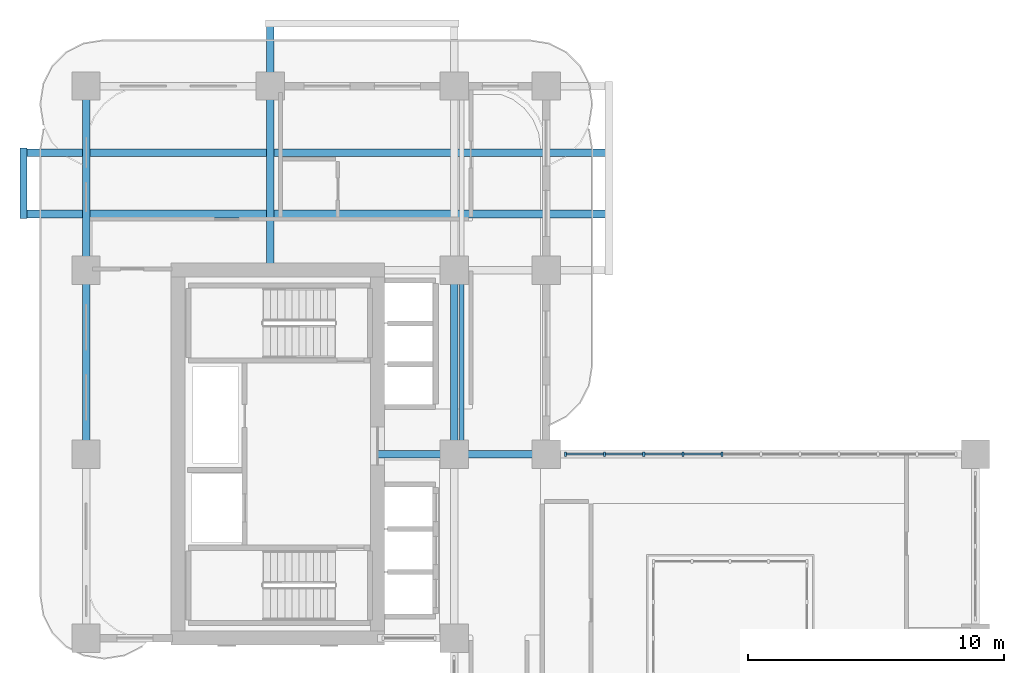
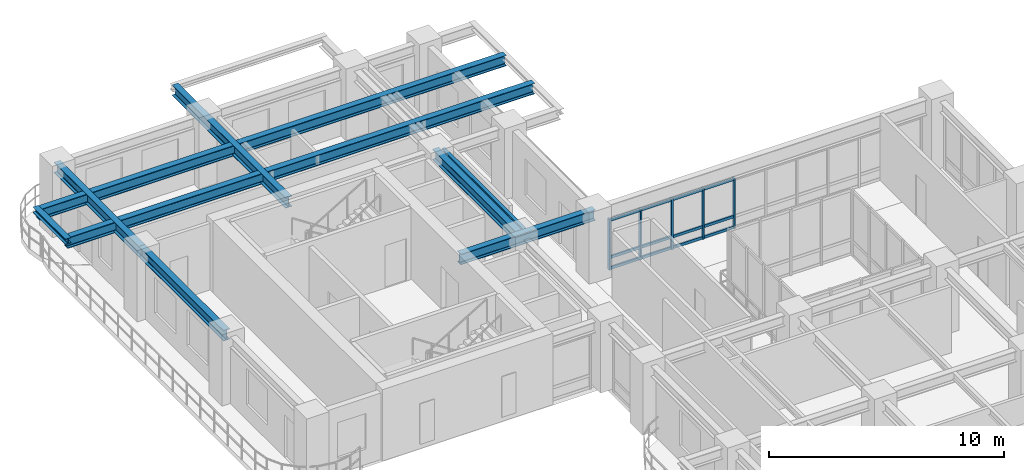
# One storey, part 6 of 22: 17 members, 9 beams, 1 element without a shape of its own.
"""IFC4 building model written with IfcOpenShell, lengths in metres."""

from ifc_helpers import new_model, si_unit, derived_unit, direction, frame, origin, origin_2d, place, context, subcontext, project, spatial, rectangle, i_section, extrude, source, transform, mapped, material, layer, layer_set, material_profile, profile_set, type_object, type_shapes, element, aggregate, save


model = new_model("IFC4")

# Units and contexts
model_context = context("Model", 3, precision=1e-05, world=origin(), true_north=direction((0.0, 1.0)))
body_context = subcontext(model_context, "Body", "Model", "MODEL_VIEW")
ifc_project = project(units=[si_unit("LENGTHUNIT", "METRE"), si_unit("AREAUNIT", "SQUARE_METRE"), si_unit("VOLUMEUNIT", "CUBIC_METRE"), si_unit("PLANEANGLEUNIT", "RADIAN"), si_unit("MASSUNIT", "GRAM", prefix="KILO"), si_unit("THERMODYNAMICTEMPERATUREUNIT", "KELVIN"), si_unit("POWERUNIT", "WATT"), derived_unit("THERMALTRANSMITTANCEUNIT", [(si_unit("POWERUNIT", "WATT"), 1), (si_unit("AREAUNIT", "SQUARE_METRE"), -1), (si_unit("THERMODYNAMICTEMPERATUREUNIT", "KELVIN"), -1)])], contexts=[model_context])

# Site, building, storey
site_placement = place(None, origin())
site = spatial("IfcSite", under=ifc_project, at=site_placement, CompositionType="ELEMENT")
building_placement = place(site_placement, origin())
building = spatial("IfcBuilding", under=site, at=building_placement, Name="Zahravan Archway Hotel and Residences", CompositionType="ELEMENT")
storey_placement = place(building_placement, frame((0.0, 0.0, 73.10009765625)))
storey = spatial("IfcBuildingStorey", under=building, at=storey_placement, Name="L17", CompositionType="ELEMENT", Elevation=73.10009765625)

# Beams
ifc_material_1 = material(Name="Structural Steel S355JR", Category="steel")
ifc_material_profile_1 = material_profile(ifc_material_1, i_section(OverallWidth=0.280029296875, OverallDepth=0.280029296875, WebThickness=0.010498046875, FlangeThickness=0.01806640625, FilletRadius=0.02392578125, at=origin_2d()), Name="HEB 280", Category="steel")
ifc_profile_set_1 = profile_set([ifc_material_profile_1], Name="Structural Steel S355JR")
beam_type_1 = type_object("IfcBeamType", Name="BM-SPN-HEB280", PredefinedType="SPANDREL", material=ifc_profile_set_1)
shared_shape_1 = source(origin(), body_context, "Body", "SweptSolid", [
    extrude(i_section(OverallWidth=0.280029296875, OverallDepth=0.280029296875, WebThickness=0.010498046875, FlangeThickness=0.01806640625, FilletRadius=0.02392578125, at=origin_2d()), origin(), (0.0, 0.0, 1.0), 2.759765625),
])
beam_1_placement = place(storey_placement, frame((-2.449951171875, 41.6201171875, 3.309814453125), z_axis=(0.0, 1.0, 0.0), x_axis=(-1.0, 0.0, 0.0)))
element("IfcBeam", 1, at=beam_1_placement, inside=storey, type_object=beam_type_1, Name="L18 WB Balcony Edge Spandrel", PredefinedType="SPANDREL", context=body_context, shape_type="MappedRepresentation", body=[
    mapped(shared_shape_1, transform((0.0, 0.0, 0.0), scale=1.0)),
])
ifc_material_profile_2 = material_profile(ifc_material_1, i_section(OverallWidth=0.300048828125, OverallDepth=0.550048828125, WebThickness=0.014892578125, FlangeThickness=0.029052734375, FilletRadius=0.027099609375, at=origin_2d()), Name="HEB 550", Category="steel")
ifc_profile_set_2 = profile_set([ifc_material_profile_2], Name="Structural Steel S355JR")
beam_type_2 = type_object("IfcBeamType", Name="BM-PRI-HEB550", PredefinedType="BEAM", material=ifc_profile_set_2)
shared_shape_2 = source(origin(), body_context, "Body", "SweptSolid", [
    extrude(i_section(OverallWidth=0.300048828125, OverallDepth=0.550048828125, WebThickness=0.014892578125, FlangeThickness=0.029052734375, FilletRadius=0.027099609375, at=origin_2d()), origin(), (0.0, 0.0, 1.0), 7.2001953125),
])
type_shapes(beam_type_2, [shared_shape_2])
for number, where, z_axis, x_axis, name in (
    (2, (0.0, 32.39990234375, 3.1748046875), (0.0, 1.0, 0.0), (-1.0, 0.0, 0.0), "L17 Primary Girder NS-29"),
    (3, (14.39990234375, 32.39990234375, 3.1748046875), (0.0, 1.0, 0.0), (-1.0, 0.0, 0.0), "L17 Primary Girder NS-37"),
):
    element("IfcBeam", number, at=place(storey_placement, frame(where, z_axis=z_axis, x_axis=x_axis)), inside=storey, type_object=beam_type_2, Name=name, PredefinedType="BEAM", context=body_context, shape_type="MappedRepresentation", body=[
        mapped(shared_shape_2, transform((0.0, 0.0, 0.0), scale=1.0)),
    ])
shared_shape_3 = source(origin(), body_context, "Body", "SweptSolid", [
    extrude(i_section(OverallWidth=0.300048828125, OverallDepth=0.550048828125, WebThickness=0.014892578125, FlangeThickness=0.029052734375, FilletRadius=0.027099609375, at=origin_2d()), origin(), (0.0, 0.0, 1.0), 7.199951171875),
])
beam_2_placement = place(storey_placement, frame((0.0, 39.60009765625, 3.1748046875), z_axis=(0.0, 1.0, 0.0), x_axis=(-1.0, 0.0, 0.0)))
element("IfcBeam", 4, at=beam_2_placement, inside=storey, type_object=beam_type_2, Name="L17 Primary Girder NS-30", PredefinedType="BEAM", context=body_context, shape_type="MappedRepresentation", body=[
    mapped(shared_shape_3, transform((0.0, 0.0, 0.0), scale=1.0)),
])
shared_shape_4 = source(origin(), body_context, "Body", "SweptSolid", [
    extrude(i_section(OverallWidth=0.300048828125, OverallDepth=0.550048828125, WebThickness=0.014892578125, FlangeThickness=0.029052734375, FilletRadius=0.027099609375, at=origin_2d()), origin(), (0.0, 0.0, 1.0), 6.60009765625),
])
beam_3_placement = place(storey_placement, frame((11.39990234375, 32.39990234375, 3.1748046875), z_axis=(1.0, 0.0, 0.0), x_axis=(0.0, 1.0, 0.0)))
element("IfcBeam", 5, at=beam_3_placement, inside=storey, type_object=beam_type_2, Name="L17 Primary Girder EW-21", PredefinedType="BEAM", context=body_context, shape_type="MappedRepresentation", body=[
    mapped(shared_shape_4, transform((0.0, 0.0, 0.0), scale=1.0)),
])
shared_shape_5 = source(origin(), body_context, "Body", "SweptSolid", [
    extrude(i_section(OverallWidth=0.300048828125, OverallDepth=0.550048828125, WebThickness=0.014892578125, FlangeThickness=0.029052734375, FilletRadius=0.027099609375, at=origin_2d()), origin(), (0.0, 0.0, 1.0), 22.89990234375),
])
for number, where, z_axis, x_axis, name in (
    (6, (-2.449951171875, 41.800048828125, 3.1748046875), (1.0, 0.0, 0.0), (0.0, 1.0, 0.0), "L17 Primary Girder EW-26"),
    (7, (-2.449951171875, 44.199951171875, 3.1748046875), (1.0, 0.0, 0.0), (0.0, 1.0, 0.0), "L17 Primary Girder EW-27"),
):
    element("IfcBeam", number, at=place(storey_placement, frame(where, z_axis=z_axis, x_axis=x_axis)), inside=storey, type_object=beam_type_2, Name=name, PredefinedType="BEAM", context=body_context, shape_type="MappedRepresentation", body=[
        mapped(shared_shape_5, transform((0.0, 0.0, 0.0), scale=1.0)),
    ])
shared_shape_6 = source(origin(), body_context, "Body", "SweptSolid", [
    extrude(i_section(OverallWidth=0.300048828125, OverallDepth=0.550048828125, WebThickness=0.014892578125, FlangeThickness=0.029052734375, FilletRadius=0.027099609375, at=origin_2d()), origin(), (0.0, 0.0, 1.0), 9.64990234375),
])
beam_4_placement = place(storey_placement, frame((7.199951171875, 39.60009765625, 3.1748046875), z_axis=(0.0, 1.0, 0.0), x_axis=(-1.0, 0.0, 0.0)))
element("IfcBeam", 8, at=beam_4_placement, inside=storey, type_object=beam_type_2, Name="L17 Primary Girder NS-31", PredefinedType="BEAM", context=body_context, shape_type="MappedRepresentation", body=[
    mapped(shared_shape_6, transform((0.0, 0.0, 0.0), scale=1.0)),
])
ifc_material_profile_3 = material_profile(ifc_material_1, i_section(OverallWidth=0.169921875, OverallDepth=0.360107421875, WebThickness=0.008056640625, FlangeThickness=0.0126953125, FilletRadius=0.01806640625, at=origin_2d()), Name="IPE 360", Category="steel")
ifc_profile_set_3 = profile_set([ifc_material_profile_3], Name="Structural Steel S355JR")
beam_type_3 = type_object("IfcBeamType", Name="BM-JST-IPE360", PredefinedType="JOIST", material=ifc_profile_set_3)
shared_shape_7 = source(origin(), body_context, "Body", "SweptSolid", [
    extrude(i_section(OverallWidth=0.169921875, OverallDepth=0.360107421875, WebThickness=0.008056640625, FlangeThickness=0.0126953125, FilletRadius=0.01806640625, at=origin_2d()), origin(), (0.0, 0.0, 1.0), 6.90380859375),
])
beam_5_placement = place(storey_placement, frame((14.699951171875, 32.548095703125, 3.27001953125), z_axis=(0.0, 1.0, 0.0), x_axis=(-1.0, 0.0, 0.0)))
element("IfcBeam", 9, at=beam_5_placement, inside=storey, type_object=beam_type_3, Name="L17 Composite Floor Joist 13", PredefinedType="JOIST", context=body_context, shape_type="MappedRepresentation", body=[
    mapped(shared_shape_7, transform((0.0, 0.0, 0.0), scale=1.0)),
])

# Curtain wall, members
ifc_material_2 = material(Name="Bronze-Anodized Unitised Aluminium & Low-E Glass", Category="aluminium")
ifc_layer = layer(ifc_material_2, 0.179931640625, Name="Bronze-Anodized Unitised Aluminium & Low-E Glass", Category="aluminium")
ifc_layer_set = layer_set([ifc_layer], Name="Bronze-Anodized Unitised Aluminium & Low-E Glass")
curtain_wall_type = type_object("IfcCurtainWallType", Name="CW-ATR-GLAZ", PredefinedType="NOTDEFINED", material=ifc_layer_set)
curtain_wall_placement = place(storey_placement, origin())
curtain_wall = element("IfcCurtainWall", 10, at=curtain_wall_placement, inside=storey, type_object=curtain_wall_type, Name="L17 Curtain Wall CW-L17-HNG-N-1", PredefinedType="NOTDEFINED")
ifc_material_3 = material(Name="Bronze-Anodized Extruded Aluminium", Category="aluminium")
ifc_material_profile_4 = material_profile(ifc_material_3, rectangle(XDim=0.080078125, YDim=0.159912109375, at=origin_2d()), Name="MUL 80x160", Category="aluminium")
ifc_profile_set_4 = profile_set([ifc_material_profile_4], Name="Bronze-Anodized Extruded Aluminium")
member_type_1 = type_object("IfcMemberType", Name="CWM-MUL-160", PredefinedType="MULLION", material=ifc_profile_set_4)
shared_shape_8 = source(origin(), body_context, "Body", "SweptSolid", [
    extrude(rectangle(XDim=0.080078125, YDim=0.159912109375, at=origin_2d()), origin(), (0.0, 0.0, 1.0), 2.635009765625),
])
member_1_placement = place(storey_placement, frame((18.760009765625, 32.39990234375, 0.0), z_axis=(0.0, 0.0, 1.0), x_axis=(1.0, 0.0, 0.0)))
member_1 = element("IfcMember", 11, at=member_1_placement, type_object=member_type_1, Name="CW-L17-HNG-N-1 Mullion 0", PredefinedType="MULLION", context=body_context, shape_type="MappedRepresentation", body=[
    mapped(shared_shape_8, transform((0.0, 0.0, 0.0), scale=1.0)),
])
member_2_placement = place(storey_placement, frame((20.2880859375, 32.39990234375, 0.0), z_axis=(0.0, 0.0, 1.0), x_axis=(1.0, 0.0, 0.0)))
member_2 = element("IfcMember", 12, at=member_2_placement, type_object=member_type_1, Name="CW-L17-HNG-N-1 Mullion 1", PredefinedType="MULLION", context=body_context, shape_type="MappedRepresentation", body=[
    mapped(shared_shape_8, transform((0.0, 0.0, 0.0), scale=1.0)),
])
member_3_placement = place(storey_placement, frame((21.81591796875, 32.39990234375, 0.0), z_axis=(0.0, 0.0, 1.0), x_axis=(1.0, 0.0, 0.0)))
member_3 = element("IfcMember", 13, at=member_3_placement, type_object=member_type_1, Name="CW-L17-HNG-N-1 Mullion 2", PredefinedType="MULLION", context=body_context, shape_type="MappedRepresentation", body=[
    mapped(shared_shape_8, transform((0.0, 0.0, 0.0), scale=1.0)),
])
member_4_placement = place(storey_placement, frame((23.343994140625, 32.39990234375, 0.0), z_axis=(0.0, 0.0, 1.0), x_axis=(1.0, 0.0, 0.0)))
member_4 = element("IfcMember", 14, at=member_4_placement, type_object=member_type_1, Name="CW-L17-HNG-N-1 Mullion 3", PredefinedType="MULLION", context=body_context, shape_type="MappedRepresentation", body=[
    mapped(shared_shape_8, transform((0.0, 0.0, 0.0), scale=1.0)),
])
member_5_placement = place(storey_placement, frame((24.8720703125, 32.39990234375, 0.0), z_axis=(0.0, 0.0, 1.0), x_axis=(1.0, 0.0, 0.0)))
member_5 = element("IfcMember", 15, at=member_5_placement, type_object=member_type_1, Name="CW-L17-HNG-N-1 Mullion 4", PredefinedType="MULLION", context=body_context, shape_type="MappedRepresentation", body=[
    mapped(shared_shape_8, transform((0.0, 0.0, 0.0), scale=1.0)),
])
ifc_material_profile_5 = material_profile(ifc_material_3, rectangle(XDim=0.080078125, YDim=0.139892578125, at=origin_2d()), Name="TRN 80x140", Category="aluminium")
ifc_profile_set_5 = profile_set([ifc_material_profile_5], Name="Bronze-Anodized Extruded Aluminium")
member_type_2 = type_object("IfcMemberType", Name="CWM-TRN-140", PredefinedType="USERDEFINED", material=ifc_profile_set_5)
shared_shape_9 = source(origin(), body_context, "Body", "SweptSolid", [
    extrude(rectangle(XDim=0.080078125, YDim=0.139892578125, at=origin_2d()), origin(), (0.0, 0.0, 1.0), 1.447998046875),
])
member_6_placement = place(storey_placement, frame((18.800048828125, 32.39990234375, 0.06982421875), z_axis=(1.0, 0.0, 0.0), x_axis=(0.0, 1.0, 0.0)))
member_6 = element("IfcMember", 16, at=member_6_placement, type_object=member_type_2, Name="CW-L17-HNG-N-1 Transom 0-1", ObjectType="TRANSOM", PredefinedType="USERDEFINED", context=body_context, shape_type="MappedRepresentation", body=[
    mapped(shared_shape_9, transform((0.0, 0.0, 0.0), scale=1.0)),
])
member_7_placement = place(storey_placement, frame((18.800048828125, 32.39990234375, 0.63232421875), z_axis=(1.0, 0.0, 0.0), x_axis=(0.0, 1.0, 0.0)))
member_7 = element("IfcMember", 17, at=member_7_placement, type_object=member_type_2, Name="CW-L17-HNG-N-1 Transom 0-2", ObjectType="TRANSOM", PredefinedType="USERDEFINED", context=body_context, shape_type="MappedRepresentation", body=[
    mapped(shared_shape_9, transform((0.0, 0.0, 0.0), scale=1.0)),
])
member_8_placement = place(storey_placement, frame((18.800048828125, 32.39990234375, 2.56494140625), z_axis=(1.0, 0.0, 0.0), x_axis=(0.0, 1.0, 0.0)))
member_8 = element("IfcMember", 18, at=member_8_placement, type_object=member_type_2, Name="CW-L17-HNG-N-1 Transom 0-3", ObjectType="TRANSOM", PredefinedType="USERDEFINED", context=body_context, shape_type="MappedRepresentation", body=[
    mapped(shared_shape_9, transform((0.0, 0.0, 0.0), scale=1.0)),
])
member_9_placement = place(storey_placement, frame((20.327880859375, 32.39990234375, 0.06982421875), z_axis=(1.0, 0.0, 0.0), x_axis=(0.0, 1.0, 0.0)))
member_9 = element("IfcMember", 19, at=member_9_placement, type_object=member_type_2, Name="CW-L17-HNG-N-1 Transom 1-1", ObjectType="TRANSOM", PredefinedType="USERDEFINED", context=body_context, shape_type="MappedRepresentation", body=[
    mapped(shared_shape_9, transform((0.0, 0.0, 0.0), scale=1.0)),
])
member_10_placement = place(storey_placement, frame((20.327880859375, 32.39990234375, 0.63232421875), z_axis=(1.0, 0.0, 0.0), x_axis=(0.0, 1.0, 0.0)))
member_10 = element("IfcMember", 20, at=member_10_placement, type_object=member_type_2, Name="CW-L17-HNG-N-1 Transom 1-2", ObjectType="TRANSOM", PredefinedType="USERDEFINED", context=body_context, shape_type="MappedRepresentation", body=[
    mapped(shared_shape_9, transform((0.0, 0.0, 0.0), scale=1.0)),
])
member_11_placement = place(storey_placement, frame((20.327880859375, 32.39990234375, 2.56494140625), z_axis=(1.0, 0.0, 0.0), x_axis=(0.0, 1.0, 0.0)))
member_11 = element("IfcMember", 21, at=member_11_placement, type_object=member_type_2, Name="CW-L17-HNG-N-1 Transom 1-3", ObjectType="TRANSOM", PredefinedType="USERDEFINED", context=body_context, shape_type="MappedRepresentation", body=[
    mapped(shared_shape_9, transform((0.0, 0.0, 0.0), scale=1.0)),
])
member_12_placement = place(storey_placement, frame((21.85595703125, 32.39990234375, 0.06982421875), z_axis=(1.0, 0.0, 0.0), x_axis=(0.0, 1.0, 0.0)))
member_12 = element("IfcMember", 22, at=member_12_placement, type_object=member_type_2, Name="CW-L17-HNG-N-1 Transom 2-1", ObjectType="TRANSOM", PredefinedType="USERDEFINED", context=body_context, shape_type="MappedRepresentation", body=[
    mapped(shared_shape_9, transform((0.0, 0.0, 0.0), scale=1.0)),
])
member_13_placement = place(storey_placement, frame((21.85595703125, 32.39990234375, 0.63232421875), z_axis=(1.0, 0.0, 0.0), x_axis=(0.0, 1.0, 0.0)))
member_13 = element("IfcMember", 23, at=member_13_placement, type_object=member_type_2, Name="CW-L17-HNG-N-1 Transom 2-2", ObjectType="TRANSOM", PredefinedType="USERDEFINED", context=body_context, shape_type="MappedRepresentation", body=[
    mapped(shared_shape_9, transform((0.0, 0.0, 0.0), scale=1.0)),
])
member_14_placement = place(storey_placement, frame((21.85595703125, 32.39990234375, 2.56494140625), z_axis=(1.0, 0.0, 0.0), x_axis=(0.0, 1.0, 0.0)))
member_14 = element("IfcMember", 24, at=member_14_placement, type_object=member_type_2, Name="CW-L17-HNG-N-1 Transom 2-3", ObjectType="TRANSOM", PredefinedType="USERDEFINED", context=body_context, shape_type="MappedRepresentation", body=[
    mapped(shared_shape_9, transform((0.0, 0.0, 0.0), scale=1.0)),
])
member_15_placement = place(storey_placement, frame((23.384033203125, 32.39990234375, 0.06982421875), z_axis=(1.0, 0.0, 0.0), x_axis=(0.0, 1.0, 0.0)))
member_15 = element("IfcMember", 25, at=member_15_placement, type_object=member_type_2, Name="CW-L17-HNG-N-1 Transom 3-1", ObjectType="TRANSOM", PredefinedType="USERDEFINED", context=body_context, shape_type="MappedRepresentation", body=[
    mapped(shared_shape_9, transform((0.0, 0.0, 0.0), scale=1.0)),
])
member_16_placement = place(storey_placement, frame((23.384033203125, 32.39990234375, 0.63232421875), z_axis=(1.0, 0.0, 0.0), x_axis=(0.0, 1.0, 0.0)))
member_16 = element("IfcMember", 26, at=member_16_placement, type_object=member_type_2, Name="CW-L17-HNG-N-1 Transom 3-2", ObjectType="TRANSOM", PredefinedType="USERDEFINED", context=body_context, shape_type="MappedRepresentation", body=[
    mapped(shared_shape_9, transform((0.0, 0.0, 0.0), scale=1.0)),
])
member_17_placement = place(storey_placement, frame((23.384033203125, 32.39990234375, 2.56494140625), z_axis=(1.0, 0.0, 0.0), x_axis=(0.0, 1.0, 0.0)))
member_17 = element("IfcMember", 27, at=member_17_placement, type_object=member_type_2, Name="CW-L17-HNG-N-1 Transom 3-3", ObjectType="TRANSOM", PredefinedType="USERDEFINED", context=body_context, shape_type="MappedRepresentation", body=[
    mapped(shared_shape_9, transform((0.0, 0.0, 0.0), scale=1.0)),
])
aggregate(curtain_wall, [member_1, member_2, member_3, member_4, member_5, member_6, member_7, member_8, member_9, member_10, member_11, member_12, member_13, member_14, member_15, member_16, member_17])

save(model, "model.ifc")
